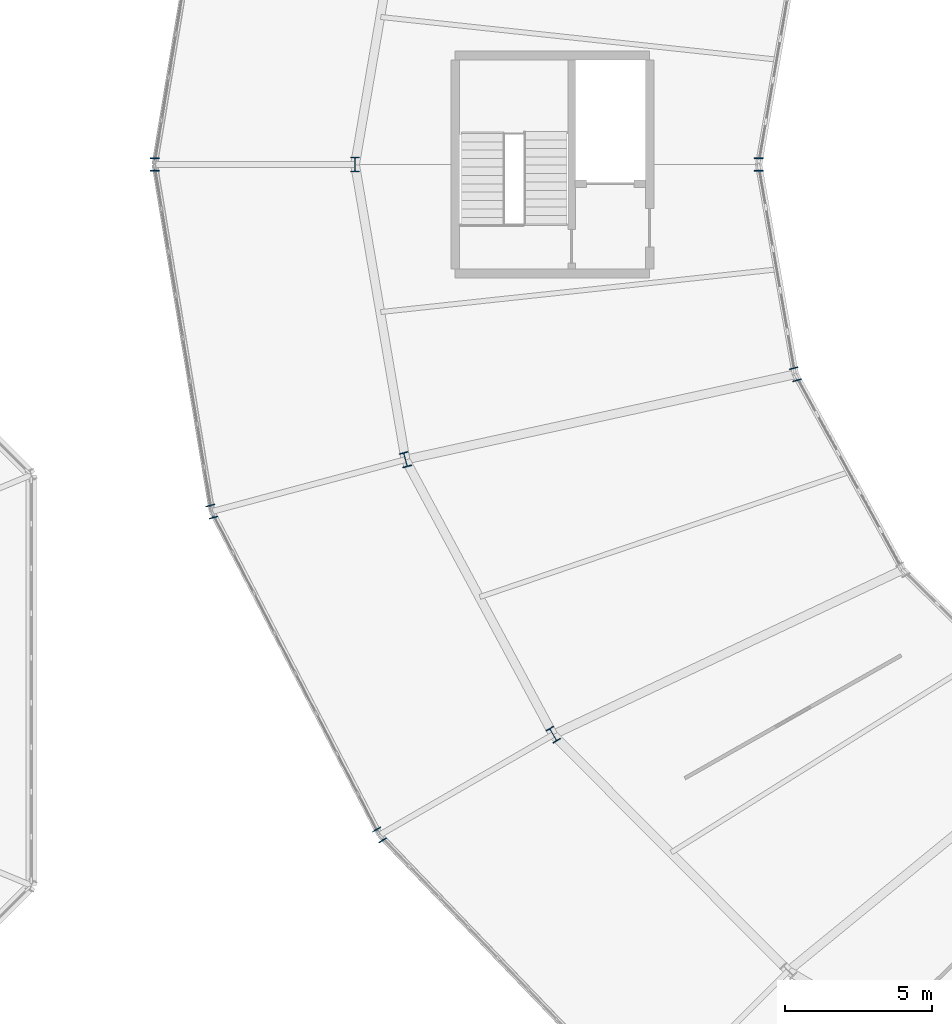
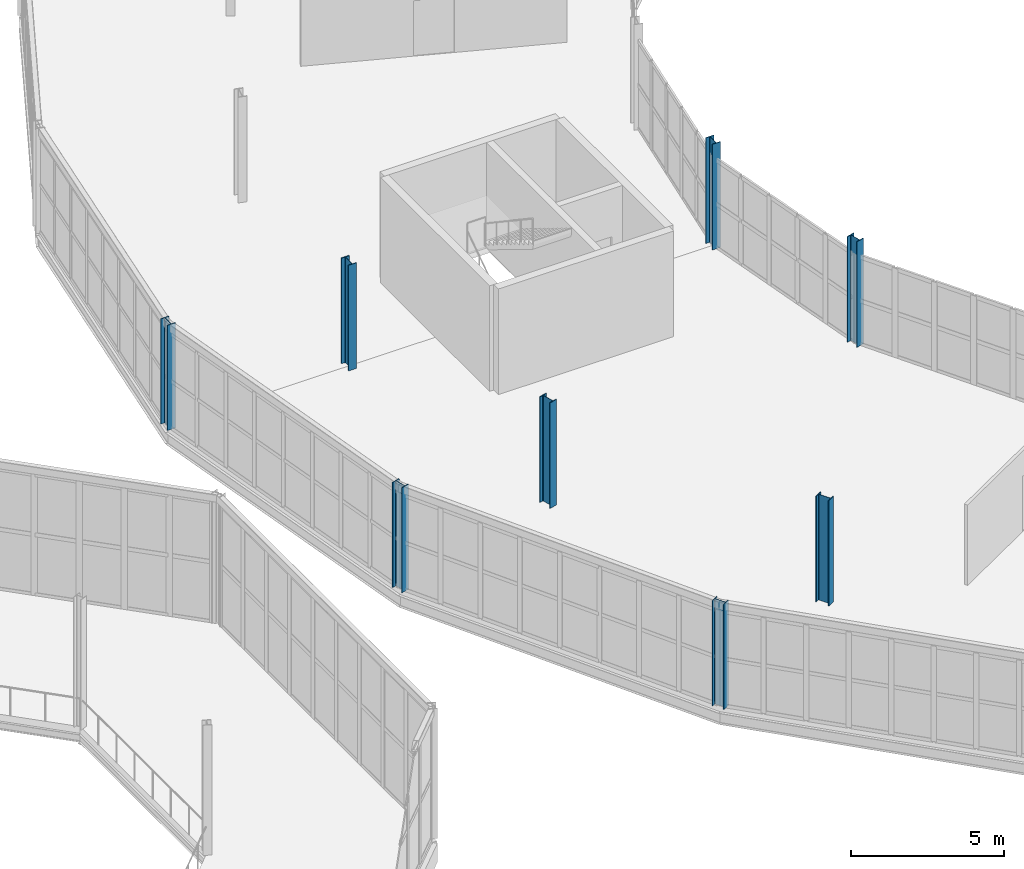
# One storey, part 10 of 161: 8 columns.
"""IFC4 building model written with IfcOpenShell, lengths in metres."""

from ifc_helpers import new_model, si_unit, direction, frame, origin, origin_2d, place, context, subcontext, project, spatial, i_section, extrude, material, material_profile, profile_set, type_object, element, save


model = new_model("IFC4")

# Units and contexts
model_context = context("Model", 3, precision=1e-05, world=origin(), true_north=direction((0.0, 1.0)))
body_context = subcontext(model_context, "Body", "Model", "MODEL_VIEW")
ifc_project = project(units=[si_unit("LENGTHUNIT", "METRE"), si_unit("AREAUNIT", "SQUARE_METRE"), si_unit("VOLUMEUNIT", "CUBIC_METRE"), si_unit("PLANEANGLEUNIT", "RADIAN"), si_unit("MASSUNIT", "GRAM", prefix="KILO")], contexts=[model_context])

# Site, building, storey
site_placement = place(None, origin())
site = spatial("IfcSite", under=ifc_project, at=site_placement, CompositionType="ELEMENT")
building_placement = place(site_placement, origin())
building = spatial("IfcBuilding", under=site, at=building_placement, Name="Kildeholm Park Wholesale Market", CompositionType="ELEMENT")
storey_placement = place(building_placement, frame((0.0, 0.0, 5.39990234375)))
storey = spatial("IfcBuildingStorey", under=building, at=storey_placement, Name="L01", CompositionType="ELEMENT", Elevation=5.39990234375)

# Columns
ifc_material = material(Name="Steel S355", Category="steel")
ifc_material_profile_1 = material_profile(ifc_material, i_section(OverallWidth=0.300048828125, OverallDepth=0.449951171875, WebThickness=0.013916015625, FlangeThickness=0.02587890625, FilletRadius=0.027099609375, at=origin_2d()), Name="HEB 450")
ifc_profile_set_1 = profile_set([ifc_material_profile_1], Name="Steel S355")
column_type_1 = type_object("IfcColumnType", Name="Column C-S06 HEB 450", PredefinedType="COLUMN", material=ifc_profile_set_1)
column_1_placement = place(storey_placement, frame((62.5, 89.5, 0.0), z_axis=(0.0, 0.0, 1.0), x_axis=(-1.0, 0.0, 0.0)))
element("IfcColumn", 1, at=column_1_placement, inside=storey, type_object=column_type_1, Name="Column V1-IN-12 L01 COL-0110", PredefinedType="COLUMN", context=body_context, shape_type="SweptSolid", body=[
    extrude(i_section(OverallWidth=0.300048828125, OverallDepth=0.449951171875, WebThickness=0.013916015625, FlangeThickness=0.02587890625, FilletRadius=0.027099609375, at=origin_2d()), origin(), (0.0, 0.0, 1.0), 4.2001953125),
])
column_2_placement = place(storey_placement, frame((42.0, 89.5, 0.0), z_axis=(0.0, 0.0, 1.0), x_axis=(-1.0, 0.0, 0.0)))
element("IfcColumn", 2, at=column_2_placement, inside=storey, type_object=column_type_1, Name="Column V1-OT-12 L01 COL-0116", PredefinedType="COLUMN", context=body_context, shape_type="SweptSolid", body=[
    extrude(i_section(OverallWidth=0.300048828125, OverallDepth=0.449951171875, WebThickness=0.013916015625, FlangeThickness=0.02587890625, FilletRadius=0.027099609375, at=origin_2d()), origin(), (0.0, 0.0, 1.0), 4.18017578125),
])
column_3_placement = place(storey_placement, frame((63.743896484375, 82.382080078125, 0.0), z_axis=(0.0, 0.0, 1.0), x_axis=(-0.965925826289, -0.258819045103, 0.0)))
element("IfcColumn", 3, at=column_3_placement, inside=storey, type_object=column_type_1, Name="Column V1-IN-13 L01 COL-0119", PredefinedType="COLUMN", context=body_context, shape_type="SweptSolid", body=[
    extrude(i_section(OverallWidth=0.300048828125, OverallDepth=0.449951171875, WebThickness=0.013916015625, FlangeThickness=0.02587890625, FilletRadius=0.027099609375, at=origin_2d()), origin(), (0.0, 0.0, 1.0), 4.2001953125),
])
for number, where, z_axis, x_axis, name in (
    (4, (43.94189453125, 77.72412109375, 0.0), (0.0, 0.0, 1.0), (-0.965925826289, -0.258819045103, 0.0), "Column V1-OT-13 L01 COL-0125"),
    (5, (49.636962890625, 66.75, 0.0), (0.0, 0.0, 1.0), (-0.866025403784, -0.5, 0.0), "Column V1-OT-14 L01 COL-0134"),
):
    element("IfcColumn", number, at=place(storey_placement, frame(where, z_axis=z_axis, x_axis=x_axis)), inside=storey, type_object=column_type_1, Name=name, PredefinedType="COLUMN", context=body_context, shape_type="SweptSolid", body=[
        extrude(i_section(OverallWidth=0.300048828125, OverallDepth=0.449951171875, WebThickness=0.013916015625, FlangeThickness=0.02587890625, FilletRadius=0.027099609375, at=origin_2d()), origin(), (0.0, 0.0, 1.0), 4.18017578125),
    ])
ifc_material_profile_2 = material_profile(ifc_material, i_section(OverallWidth=0.300048828125, OverallDepth=0.5, WebThickness=0.014404296875, FlangeThickness=0.028076171875, FilletRadius=0.027099609375, at=origin_2d()), Name="HEB 500")
ifc_profile_set_2 = profile_set([ifc_material_profile_2], Name="Steel S355")
column_type_2 = type_object("IfcColumnType", Name="Column C-S07 HEB 500", PredefinedType="COLUMN", material=ifc_profile_set_2)
for number, where, z_axis, x_axis, name in (
    (6, (48.800048828125, 89.5, 0.0), (0.0, 0.0, 1.0), (-1.0, 0.0, 0.0), "Column V1-MD-12 L01 COL-0113"),
    (7, (50.510986328125, 79.48388671875, 0.0), (0.0, 0.0, 1.0), (-0.965925826289, -0.258819045103, 0.0), "Column V1-MD-13 L01 COL-0122"),
    (8, (55.52587890625, 70.14990234375, 0.0), (0.0, 0.0, 1.0), (-0.866025403784, -0.5, 0.0), "Column V1-MD-14 L01 COL-0131"),
):
    element("IfcColumn", number, at=place(storey_placement, frame(where, z_axis=z_axis, x_axis=x_axis)), inside=storey, type_object=column_type_2, Name=name, PredefinedType="COLUMN", context=body_context, shape_type="SweptSolid", body=[
        extrude(i_section(OverallWidth=0.300048828125, OverallDepth=0.5, WebThickness=0.014404296875, FlangeThickness=0.028076171875, FilletRadius=0.027099609375, at=origin_2d()), origin(), (0.0, 0.0, 1.0), 4.2001953125),
    ])

save(model, "model.ifc")
